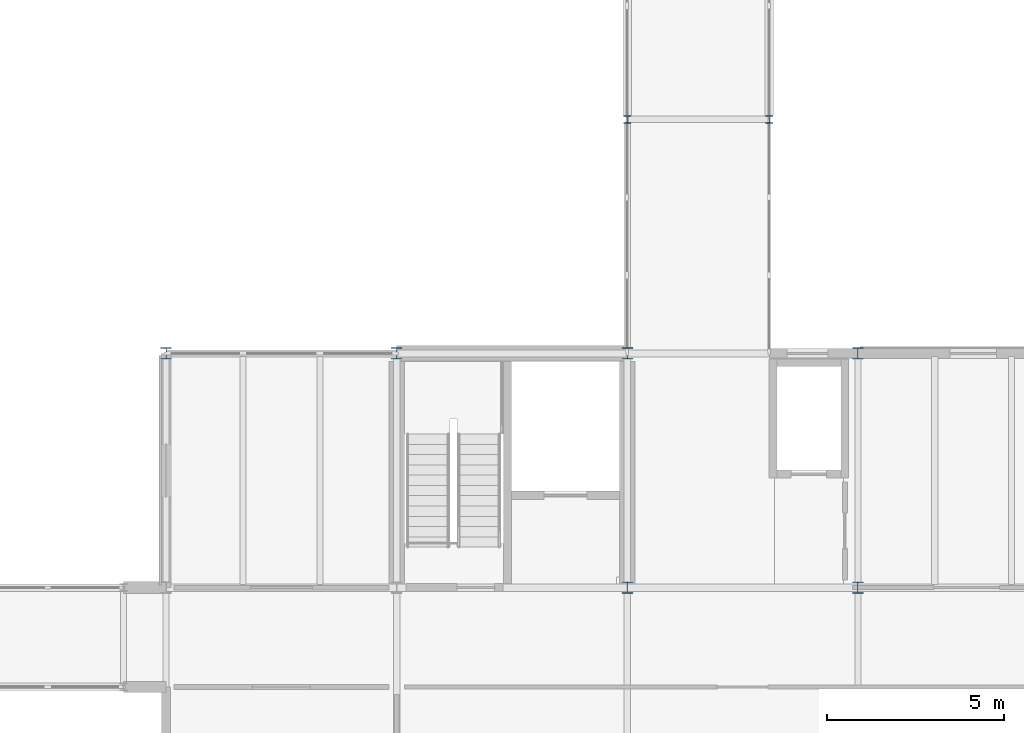
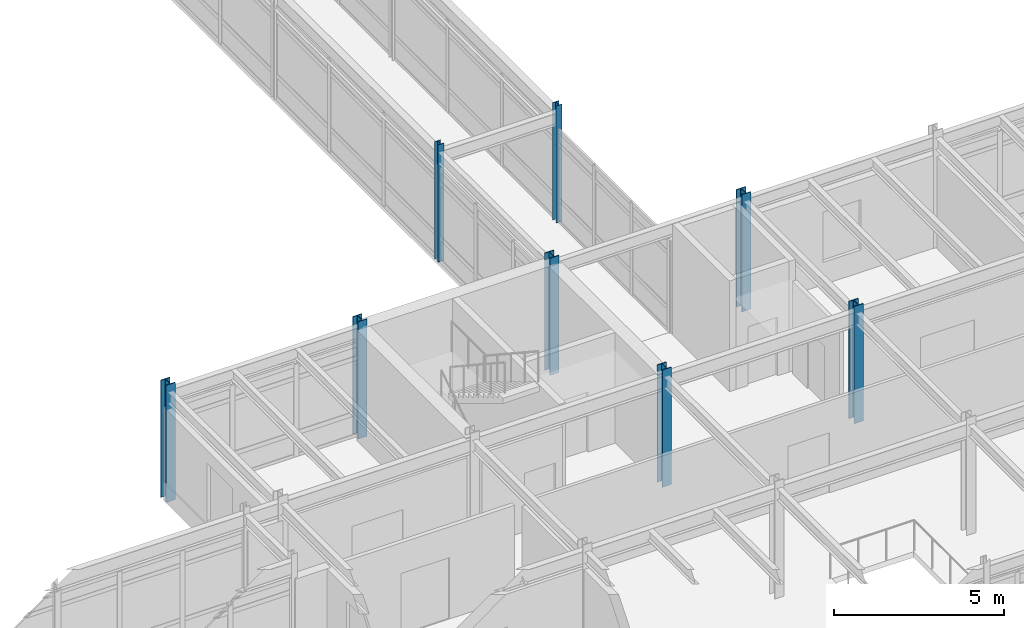
# One storey, part 10 of 144: 8 columns.
"""IFC4 building model written with IfcOpenShell, lengths in metres."""

from ifc_helpers import new_model, si_unit, direction, frame, origin, origin_2d, place, context, subcontext, project, spatial, i_section, extrude, material, material_profile, profile_set, type_object, element, save


model = new_model("IFC4")

# Units and contexts
model_context = context("Model", 3, precision=1e-05, world=origin(), true_north=direction((0.0, 1.0)))
body_context = subcontext(model_context, "Body", "Model", "MODEL_VIEW")
ifc_project = project(units=[si_unit("LENGTHUNIT", "METRE"), si_unit("AREAUNIT", "SQUARE_METRE"), si_unit("VOLUMEUNIT", "CUBIC_METRE"), si_unit("PLANEANGLEUNIT", "RADIAN"), si_unit("MASSUNIT", "GRAM", prefix="KILO")], contexts=[model_context])

# Site, building, storey
site_placement = place(None, origin())
site = spatial("IfcSite", under=ifc_project, at=site_placement, CompositionType="ELEMENT")
building_placement = place(site_placement, origin())
building = spatial("IfcBuilding", under=site, at=building_placement, Name="Trelmorton Wharf Fire Station", CompositionType="ELEMENT")
storey_placement = place(building_placement, frame((0.0, 0.0, 5.39990234375)))
storey = spatial("IfcBuildingStorey", under=building, at=storey_placement, Name="L01", CompositionType="ELEMENT", Elevation=5.39990234375)

# Columns
ifc_material = material(Name="Steel Grade 350", Category="steel")
ifc_material_profile_1 = material_profile(ifc_material, i_section(OverallWidth=0.205078125, OverallDepth=0.2099609375, WebThickness=0.00927734375, FlangeThickness=0.01416015625, FilletRadius=0.011474609375, at=origin_2d()), Name="200UC59.5")
ifc_profile_set_1 = profile_set([ifc_material_profile_1], Name="Steel Grade 350")
column_type_1 = type_object("IfcColumnType", Name="COL_200UC60", PredefinedType="COLUMN", material=ifc_profile_set_1)
for number, where, z_axis, x_axis, name in (
    (1, (117.0, 34.199951171875, 0.0), (0.0, 0.0, 1.0), (1.0, 0.0, 0.0), "COL-L01-0395"),
    (2, (121.0, 34.199951171875, 0.0), (0.0, 0.0, 1.0), (1.0, 0.0, 0.0), "COL-L01-0402"),
):
    element("IfcColumn", number, at=place(storey_placement, frame(where, z_axis=z_axis, x_axis=x_axis)), inside=storey, type_object=column_type_1, Name=name, PredefinedType="COLUMN", context=body_context, shape_type="SweptSolid", body=[
        extrude(i_section(OverallWidth=0.205078125, OverallDepth=0.2099609375, WebThickness=0.00927734375, FlangeThickness=0.01416015625, FilletRadius=0.011474609375, at=origin_2d()), origin(), (0.0, 0.0, 1.0), 4.2001953125),
    ])
ifc_material_profile_2 = material_profile(ifc_material, i_section(OverallWidth=0.31103515625, OverallDepth=0.326904296875, WebThickness=0.015625, FlangeThickness=0.02490234375, FilletRadius=0.0166015625, at=origin_2d()), Name="310UC158")
ifc_profile_set_2 = profile_set([ifc_material_profile_2], Name="Steel Grade 350")
column_type_2 = type_object("IfcColumnType", Name="COL_310UC158", PredefinedType="COLUMN", material=ifc_profile_set_2)
for number, where, z_axis, x_axis, name in (
    (3, (104.0, 27.60009765625, 0.0), (0.0, 0.0, 1.0), (1.0, 0.0, 0.0), "COL-L01-0378"),
    (4, (110.5, 27.60009765625, 0.0), (0.0, 0.0, 1.0), (1.0, 0.0, 0.0), "COL-L01-0386"),
    (5, (117.0, 21.0, 0.0), (0.0, 0.0, 1.0), (1.0, 0.0, 0.0), "COL-L01-0393"),
    (6, (117.0, 27.60009765625, 0.0), (0.0, 0.0, 1.0), (1.0, 0.0, 0.0), "COL-L01-0394"),
    (7, (123.5, 21.0, 0.0), (0.0, 0.0, 1.0), (1.0, 0.0, 0.0), "COL-L01-0407"),
    (8, (123.5, 27.60009765625, 0.0), (0.0, 0.0, 1.0), (1.0, 0.0, 0.0), "COL-L01-0408"),
):
    element("IfcColumn", number, at=place(storey_placement, frame(where, z_axis=z_axis, x_axis=x_axis)), inside=storey, type_object=column_type_2, Name=name, PredefinedType="COLUMN", context=body_context, shape_type="SweptSolid", body=[
        extrude(i_section(OverallWidth=0.31103515625, OverallDepth=0.326904296875, WebThickness=0.015625, FlangeThickness=0.02490234375, FilletRadius=0.0166015625, at=origin_2d()), origin(), (0.0, 0.0, 1.0), 4.2001953125),
    ])

save(model, "model.ifc")
